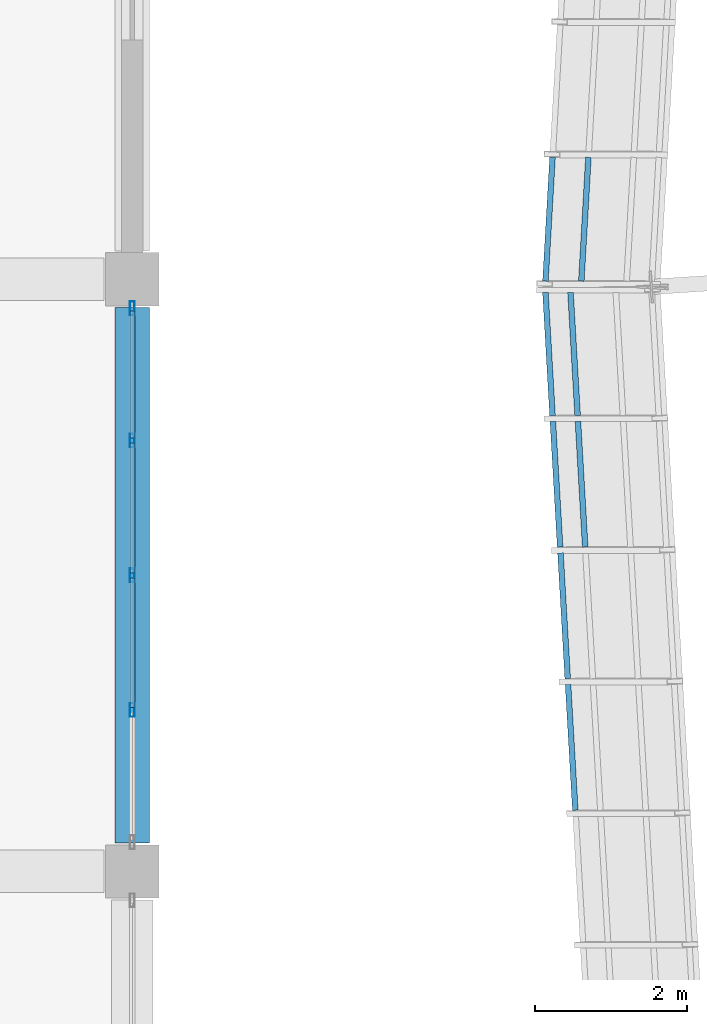
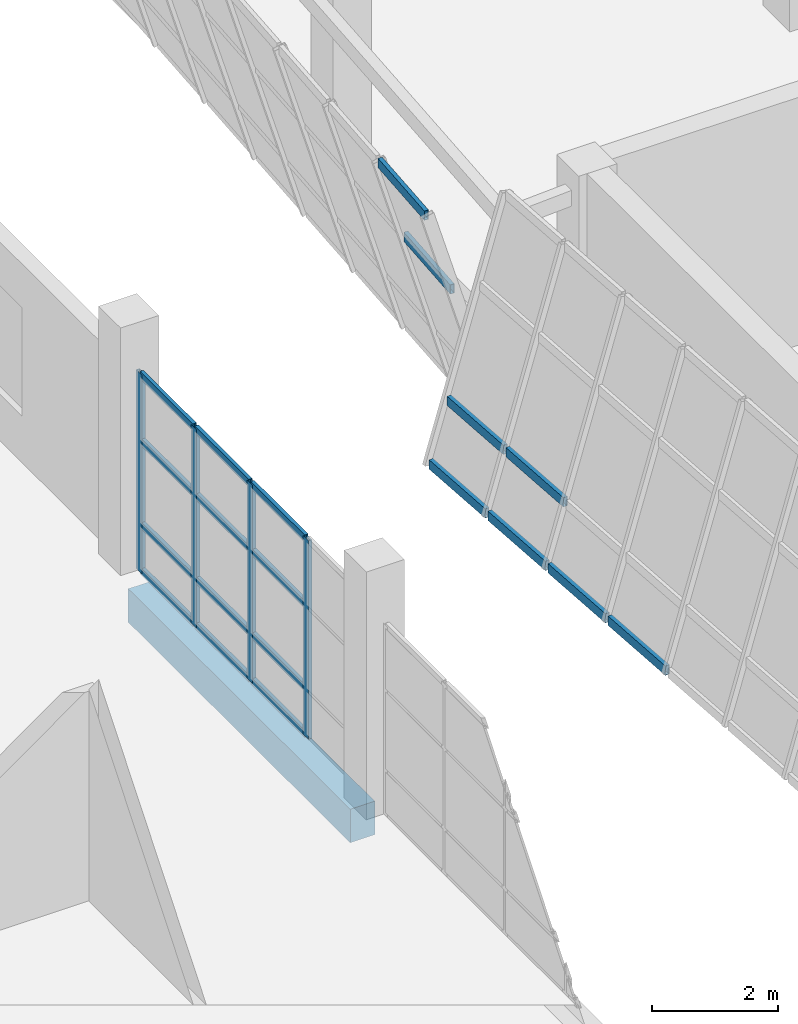
# One storey, part 28 of 91: 24 members, 1 beam, 3 elements without a shape of their own.
"""IFC4 building model written with IfcOpenShell, lengths in metres."""

from ifc_helpers import new_model, si_unit, direction, frame, origin, origin_2d, place, context, subcontext, project, spatial, rectangle, hollow_rectangle, extrude, material, material_profile, profile_set, type_object, element, aggregate, save


model = new_model("IFC4")

# Units and contexts
model_context = context("Model", 3, precision=1e-05, world=origin(), true_north=direction((0.0, 1.0)))
body_context = subcontext(model_context, "Body", "Model", "MODEL_VIEW")
ifc_project = project(units=[si_unit("LENGTHUNIT", "METRE"), si_unit("AREAUNIT", "SQUARE_METRE"), si_unit("VOLUMEUNIT", "CUBIC_METRE"), si_unit("PLANEANGLEUNIT", "RADIAN"), si_unit("MASSUNIT", "GRAM", prefix="KILO")], contexts=[model_context])

# Site, building, storey
site_placement = place(None, origin())
site = spatial("IfcSite", under=ifc_project, at=site_placement, CompositionType="ELEMENT")
building_placement = place(site_placement, origin())
building = spatial("IfcBuilding", under=site, at=building_placement, Name="Pellamere Symphony Hall", CompositionType="ELEMENT")
storey_placement = place(building_placement, frame((0.0, 0.0, 5.39990234375)))
storey = spatial("IfcBuildingStorey", under=building, at=storey_placement, Name="L01", CompositionType="ELEMENT", Elevation=5.39990234375)

# Curtain wall, members
ifc_material_1 = material(Name="Thermally Broken Anodised Aluminium 6063-T6 Curtain Wall", Category="aluminium")
curtain_wall_type_1 = type_object("IfcCurtainWallType", Name="Curtain Wall CW-04 (Chamber Music Lobby Curtain Wall)", PredefinedType="NOTDEFINED", material=ifc_material_1)
curtain_wall_1_placement = place(storey_placement, origin())
curtain_wall_1 = element("IfcCurtainWall", 1, at=curtain_wall_1_placement, inside=storey, type_object=curtain_wall_type_1, Name="Chamber Forecourt East Curtain Wall (L01 Bay 3)", PredefinedType="NOTDEFINED")
ifc_material_2 = material(Name="Anodised Architectural Aluminium 6063-T6", Category="aluminium")
ifc_material_profile_1 = material_profile(ifc_material_2, hollow_rectangle(XDim=0.06494140625, YDim=0.179931640625, WallThickness=0.00390625, at=origin_2d()), Name="ALU-M65X180X4")
ifc_profile_set_1 = profile_set([ifc_material_profile_1], Name="Anodised Architectural Aluminium 6063-T6")
member_type_1 = type_object("IfcMemberType", Name="Curtain Wall Mullion ML-02 ALU-M65X180X4", PredefinedType="MULLION", material=ifc_profile_set_1)
member_1_placement = place(storey_placement, frame((42.0, 40.52490234375, 0.0), z_axis=(0.0, 0.0, 1.0), x_axis=(-1.0, 0.0, 0.0)))
member_1 = element("IfcMember", 2, at=member_1_placement, type_object=member_type_1, Name="CW4E-118 crystal mullion 2", PredefinedType="MULLION", context=body_context, shape_type="SweptSolid", body=[
    extrude(hollow_rectangle(XDim=0.06494140625, YDim=0.179931640625, WallThickness=0.00390625, at=origin_2d()), origin(), (0.0, 0.0, 1.0), 3.85009765625),
])
member_2_placement = place(storey_placement, frame((42.0, 42.300048828125, 0.0), z_axis=(0.0, 0.0, 1.0), x_axis=(-1.0, 0.0, 0.0)))
member_2 = element("IfcMember", 3, at=member_2_placement, type_object=member_type_1, Name="CW4E-118 crystal mullion 3", PredefinedType="MULLION", context=body_context, shape_type="SweptSolid", body=[
    extrude(hollow_rectangle(XDim=0.06494140625, YDim=0.179931640625, WallThickness=0.00390625, at=origin_2d()), origin(), (0.0, 0.0, 1.0), 3.85009765625),
])
member_3_placement = place(storey_placement, frame((42.0, 44.074951171875, 0.0), z_axis=(0.0, 0.0, 1.0), x_axis=(-1.0, 0.0, 0.0)))
member_3 = element("IfcMember", 4, at=member_3_placement, type_object=member_type_1, Name="CW4E-118 crystal mullion 4", PredefinedType="MULLION", context=body_context, shape_type="SweptSolid", body=[
    extrude(hollow_rectangle(XDim=0.06494140625, YDim=0.179931640625, WallThickness=0.00390625, at=origin_2d()), origin(), (0.0, 0.0, 1.0), 3.85009765625),
])
member_4_placement = place(storey_placement, frame((42.0, 45.8173828125, 0.0), z_axis=(0.0, 0.0, 1.0), x_axis=(-1.0, 0.0, 0.0)))
member_4 = element("IfcMember", 5, at=member_4_placement, type_object=member_type_1, Name="CW4E-118 crystal mullion 5", PredefinedType="MULLION", context=body_context, shape_type="SweptSolid", body=[
    extrude(hollow_rectangle(XDim=0.06494140625, YDim=0.179931640625, WallThickness=0.00390625, at=origin_2d()), origin(), (0.0, 0.0, 1.0), 3.85009765625),
])

curtain_wall_type_2 = type_object("IfcCurtainWallType", Name="Curtain Wall CW-01 (Tilted Faceted Crystal Low-Iron Curtain Wall)", PredefinedType="NOTDEFINED", material=ifc_material_1)
curtain_wall_2_placement = place(storey_placement, origin())
curtain_wall_2 = element("IfcCurtainWall", 6, at=curtain_wall_2_placement, inside=storey, type_object=curtain_wall_type_2, Name="Crystal Faceted Curtain Wall CW-CR17 (L01)", PredefinedType="NOTDEFINED")
ifc_material_profile_2 = material_profile(ifc_material_2, hollow_rectangle(XDim=0.074951171875, YDim=0.179931640625, WallThickness=0.0048828125, at=origin_2d()), Name="ALU-T75X180X5")
ifc_profile_set_2 = profile_set([ifc_material_profile_2], Name="Anodised Architectural Aluminium 6063-T6")
member_type_2 = type_object("IfcMemberType", Name="Curtain Wall Transom TR-01 ALU-T75X180X5", PredefinedType="USERDEFINED", material=ifc_profile_set_2)
member_5_placement = place(storey_placement, frame((48.009521484375, 47.806884765625, 3.168212890625), z_axis=(-0.057198647566, -0.998362817175, 0.0), x_axis=(0.998362817175, -0.057198647566, 0.0)))
member_5 = element("IfcMember", 7, at=member_5_placement, type_object=member_type_2, Name="CW1-048 crystal transom 9.3", ObjectType="TRANSOM", PredefinedType="USERDEFINED", context=body_context, shape_type="SweptSolid", body=[
    extrude(hollow_rectangle(XDim=0.074951171875, YDim=0.179931640625, WallThickness=0.0048828125, at=origin_2d()), origin(), (0.0, 0.0, 1.0), 1.634765625),
])
member_6_placement = place(storey_placement, frame((47.53662109375, 47.806884765625, 4.76416015625), z_axis=(-0.057198647566, -0.998362817175, 0.0), x_axis=(0.998362817175, -0.057198647566, 0.0)))
member_6 = element("IfcMember", 8, at=member_6_placement, type_object=member_type_2, Name="CW1-048 crystal transom 9.4", ObjectType="TRANSOM", PredefinedType="USERDEFINED", context=body_context, shape_type="SweptSolid", body=[
    extrude(hollow_rectangle(XDim=0.074951171875, YDim=0.179931640625, WallThickness=0.0048828125, at=origin_2d()), origin(), (0.0, 0.0, 1.0), 1.634765625),
])
aggregate(curtain_wall_2, [member_5, member_6])

curtain_wall_3_placement = place(storey_placement, origin())
curtain_wall_3 = element("IfcCurtainWall", 9, at=curtain_wall_3_placement, inside=storey, type_object=curtain_wall_type_2, Name="Crystal Faceted Curtain Wall CW-CR18 (L01)", PredefinedType="NOTDEFINED")
member_7_placement = place(storey_placement, frame((47.443115234375, 46.025146484375, 0.0361328125), z_axis=(0.057585007883, -0.99834060664, 0.0), x_axis=(0.99834060664, 0.057585007883, 0.0)))
member_7 = element("IfcMember", 10, at=member_7_placement, type_object=member_type_2, Name="CW1-053 crystal transom 1.1", ObjectType="TRANSOM", PredefinedType="USERDEFINED", context=body_context, shape_type="SweptSolid", body=[
    extrude(hollow_rectangle(XDim=0.074951171875, YDim=0.179931640625, WallThickness=0.0048828125, at=origin_2d()), origin(), (0.0, 0.0, 1.0), 1.623779296875),
])
member_8_placement = place(storey_placement, frame((47.773681640625, 46.025146484375, 1.152099609375), z_axis=(0.057585007883, -0.99834060664, 0.0), x_axis=(0.99834060664, 0.057585007883, 0.0)))
member_8 = element("IfcMember", 11, at=member_8_placement, type_object=member_type_2, Name="CW1-053 crystal transom 1.2", ObjectType="TRANSOM", PredefinedType="USERDEFINED", context=body_context, shape_type="SweptSolid", body=[
    extrude(hollow_rectangle(XDim=0.074951171875, YDim=0.179931640625, WallThickness=0.0048828125, at=origin_2d()), origin(), (0.0, 0.0, 1.0), 1.623779296875),
])
member_9_placement = place(storey_placement, frame((47.541015625, 44.329345703125, 0.0361328125), z_axis=(0.057602168051, -0.998339616682, 0.0), x_axis=(0.998339616682, 0.057602168051, 0.0)))
member_9 = element("IfcMember", 12, at=member_9_placement, type_object=member_type_2, Name="CW1-053 crystal transom 2.1", ObjectType="TRANSOM", PredefinedType="USERDEFINED", context=body_context, shape_type="SweptSolid", body=[
    extrude(hollow_rectangle(XDim=0.074951171875, YDim=0.179931640625, WallThickness=0.0048828125, at=origin_2d()), origin(), (0.0, 0.0, 1.0), 1.661376953125),
])
member_10_placement = place(storey_placement, frame((47.87158203125, 44.329345703125, 1.152099609375), z_axis=(0.057602168051, -0.998339616682, 0.0), x_axis=(0.998339616682, 0.057602168051, 0.0)))
member_10 = element("IfcMember", 13, at=member_10_placement, type_object=member_type_2, Name="CW1-053 crystal transom 2.2", ObjectType="TRANSOM", PredefinedType="USERDEFINED", context=body_context, shape_type="SweptSolid", body=[
    extrude(hollow_rectangle(XDim=0.074951171875, YDim=0.179931640625, WallThickness=0.0048828125, at=origin_2d()), origin(), (0.0, 0.0, 1.0), 1.661376953125),
])
member_11_placement = place(storey_placement, frame((47.64111328125, 42.595947265625, 0.0361328125), z_axis=(0.057464139598, -0.998347571069, 0.0), x_axis=(0.998347571069, 0.057464139598, 0.0)))
member_11 = element("IfcMember", 14, at=member_11_placement, type_object=member_type_2, Name="CW1-053 crystal transom 3.1", ObjectType="TRANSOM", PredefinedType="USERDEFINED", context=body_context, shape_type="SweptSolid", body=[
    extrude(hollow_rectangle(XDim=0.074951171875, YDim=0.179931640625, WallThickness=0.0048828125, at=origin_2d()), origin(), (0.0, 0.0, 1.0), 1.6611328125),
])
member_12_placement = place(storey_placement, frame((47.740966796875, 40.862548828125, 0.0361328125), z_axis=(0.057610619545, -0.998339129012, 0.0), x_axis=(0.998339129012, 0.057610619545, 0.0)))
member_12 = element("IfcMember", 15, at=member_12_placement, type_object=member_type_2, Name="CW1-053 crystal transom 4.1", ObjectType="TRANSOM", PredefinedType="USERDEFINED", context=body_context, shape_type="SweptSolid", body=[
    extrude(hollow_rectangle(XDim=0.074951171875, YDim=0.179931640625, WallThickness=0.0048828125, at=origin_2d()), origin(), (0.0, 0.0, 1.0), 1.6611328125),
])
aggregate(curtain_wall_3, [member_7, member_8, member_9, member_10, member_11, member_12])

# Member
ifc_material_profile_3 = material_profile(ifc_material_2, hollow_rectangle(XDim=0.06494140625, YDim=0.139892578125, WallThickness=0.00390625, at=origin_2d()), Name="ALU-T65X140X4")
ifc_profile_set_3 = profile_set([ifc_material_profile_3], Name="Anodised Architectural Aluminium 6063-T6")
member_type_3 = type_object("IfcMemberType", Name="Curtain Wall Transom TR-02 ALU-T65X140X4", PredefinedType="USERDEFINED", material=ifc_profile_set_3)
member_13_placement = place(storey_placement, frame((42.0, 40.5576171875, 0.03271484375), z_axis=(0.0, 1.0, 0.0), x_axis=(-1.0, 0.0, 0.0)))
member_13 = element("IfcMember", 16, at=member_13_placement, type_object=member_type_3, Name="CW4E-118 crystal transom 2.1", ObjectType="TRANSOM", PredefinedType="USERDEFINED", context=body_context, shape_type="SweptSolid", body=[
    extrude(hollow_rectangle(XDim=0.06494140625, YDim=0.139892578125, WallThickness=0.00390625, at=origin_2d()), origin(), (0.0, 0.0, 1.0), 1.7099609375),
])

member_14_placement = place(storey_placement, frame((42.0, 40.5576171875, 0.924072265625), z_axis=(0.0, 1.0, 0.0), x_axis=(-1.0, 0.0, 0.0)))
member_14 = element("IfcMember", 17, at=member_14_placement, type_object=member_type_3, Name="CW4E-118 crystal transom 2.2", ObjectType="TRANSOM", PredefinedType="USERDEFINED", context=body_context, shape_type="SweptSolid", body=[
    extrude(hollow_rectangle(XDim=0.06494140625, YDim=0.139892578125, WallThickness=0.00390625, at=origin_2d()), origin(), (0.0, 0.0, 1.0), 1.7099609375),
])

member_15_placement = place(storey_placement, frame((42.0, 40.5576171875, 2.541015625), z_axis=(0.0, 1.0, 0.0), x_axis=(-1.0, 0.0, 0.0)))
member_15 = element("IfcMember", 18, at=member_15_placement, type_object=member_type_3, Name="CW4E-118 crystal transom 2.3", ObjectType="TRANSOM", PredefinedType="USERDEFINED", context=body_context, shape_type="SweptSolid", body=[
    extrude(hollow_rectangle(XDim=0.06494140625, YDim=0.139892578125, WallThickness=0.00390625, at=origin_2d()), origin(), (0.0, 0.0, 1.0), 1.7099609375),
])

member_16_placement = place(storey_placement, frame((42.0, 40.5576171875, 3.817626953125), z_axis=(0.0, 1.0, 0.0), x_axis=(-1.0, 0.0, 0.0)))
member_16 = element("IfcMember", 19, at=member_16_placement, type_object=member_type_3, Name="CW4E-118 crystal transom 2.4", ObjectType="TRANSOM", PredefinedType="USERDEFINED", context=body_context, shape_type="SweptSolid", body=[
    extrude(hollow_rectangle(XDim=0.06494140625, YDim=0.139892578125, WallThickness=0.00390625, at=origin_2d()), origin(), (0.0, 0.0, 1.0), 1.7099609375),
])

member_17_placement = place(storey_placement, frame((42.0, 42.33251953125, 0.03271484375), z_axis=(0.0, 1.0, 0.0), x_axis=(-1.0, 0.0, 0.0)))
member_17 = element("IfcMember", 20, at=member_17_placement, type_object=member_type_3, Name="CW4E-118 crystal transom 3.1", ObjectType="TRANSOM", PredefinedType="USERDEFINED", context=body_context, shape_type="SweptSolid", body=[
    extrude(hollow_rectangle(XDim=0.06494140625, YDim=0.139892578125, WallThickness=0.00390625, at=origin_2d()), origin(), (0.0, 0.0, 1.0), 1.7099609375),
])

member_18_placement = place(storey_placement, frame((42.0, 42.33251953125, 0.924072265625), z_axis=(0.0, 1.0, 0.0), x_axis=(-1.0, 0.0, 0.0)))
member_18 = element("IfcMember", 21, at=member_18_placement, type_object=member_type_3, Name="CW4E-118 crystal transom 3.2", ObjectType="TRANSOM", PredefinedType="USERDEFINED", context=body_context, shape_type="SweptSolid", body=[
    extrude(hollow_rectangle(XDim=0.06494140625, YDim=0.139892578125, WallThickness=0.00390625, at=origin_2d()), origin(), (0.0, 0.0, 1.0), 1.7099609375),
])

member_19_placement = place(storey_placement, frame((42.0, 42.33251953125, 2.541015625), z_axis=(0.0, 1.0, 0.0), x_axis=(-1.0, 0.0, 0.0)))
member_19 = element("IfcMember", 22, at=member_19_placement, type_object=member_type_3, Name="CW4E-118 crystal transom 3.3", ObjectType="TRANSOM", PredefinedType="USERDEFINED", context=body_context, shape_type="SweptSolid", body=[
    extrude(hollow_rectangle(XDim=0.06494140625, YDim=0.139892578125, WallThickness=0.00390625, at=origin_2d()), origin(), (0.0, 0.0, 1.0), 1.7099609375),
])

member_20_placement = place(storey_placement, frame((42.0, 42.33251953125, 3.817626953125), z_axis=(0.0, 1.0, 0.0), x_axis=(-1.0, 0.0, 0.0)))
member_20 = element("IfcMember", 23, at=member_20_placement, type_object=member_type_3, Name="CW4E-118 crystal transom 3.4", ObjectType="TRANSOM", PredefinedType="USERDEFINED", context=body_context, shape_type="SweptSolid", body=[
    extrude(hollow_rectangle(XDim=0.06494140625, YDim=0.139892578125, WallThickness=0.00390625, at=origin_2d()), origin(), (0.0, 0.0, 1.0), 1.7099609375),
])

member_21_placement = place(storey_placement, frame((42.0, 44.107421875, 0.03271484375), z_axis=(0.0, 1.0, 0.0), x_axis=(-1.0, 0.0, 0.0)))
member_21 = element("IfcMember", 24, at=member_21_placement, type_object=member_type_3, Name="CW4E-118 crystal transom 4.1", ObjectType="TRANSOM", PredefinedType="USERDEFINED", context=body_context, shape_type="SweptSolid", body=[
    extrude(hollow_rectangle(XDim=0.06494140625, YDim=0.139892578125, WallThickness=0.00390625, at=origin_2d()), origin(), (0.0, 0.0, 1.0), 1.677490234375),
])

member_22_placement = place(storey_placement, frame((42.0, 44.107421875, 0.924072265625), z_axis=(0.0, 1.0, 0.0), x_axis=(-1.0, 0.0, 0.0)))
member_22 = element("IfcMember", 25, at=member_22_placement, type_object=member_type_3, Name="CW4E-118 crystal transom 4.2", ObjectType="TRANSOM", PredefinedType="USERDEFINED", context=body_context, shape_type="SweptSolid", body=[
    extrude(hollow_rectangle(XDim=0.06494140625, YDim=0.139892578125, WallThickness=0.00390625, at=origin_2d()), origin(), (0.0, 0.0, 1.0), 1.677490234375),
])

member_23_placement = place(storey_placement, frame((42.0, 44.107421875, 2.541015625), z_axis=(0.0, 1.0, 0.0), x_axis=(-1.0, 0.0, 0.0)))
member_23 = element("IfcMember", 26, at=member_23_placement, type_object=member_type_3, Name="CW4E-118 crystal transom 4.3", ObjectType="TRANSOM", PredefinedType="USERDEFINED", context=body_context, shape_type="SweptSolid", body=[
    extrude(hollow_rectangle(XDim=0.06494140625, YDim=0.139892578125, WallThickness=0.00390625, at=origin_2d()), origin(), (0.0, 0.0, 1.0), 1.677490234375),
])

member_24_placement = place(storey_placement, frame((42.0, 44.107421875, 3.817626953125), z_axis=(0.0, 1.0, 0.0), x_axis=(-1.0, 0.0, 0.0)))
member_24 = element("IfcMember", 27, at=member_24_placement, type_object=member_type_3, Name="CW4E-118 crystal transom 4.4", ObjectType="TRANSOM", PredefinedType="USERDEFINED", context=body_context, shape_type="SweptSolid", body=[
    extrude(hollow_rectangle(XDim=0.06494140625, YDim=0.139892578125, WallThickness=0.00390625, at=origin_2d()), origin(), (0.0, 0.0, 1.0), 1.677490234375),
])

aggregate(curtain_wall_1, [member_1, member_2, member_3, member_4, member_13, member_14, member_15, member_16, member_17, member_18, member_19, member_20, member_21, member_22, member_23, member_24])

# Beam
ifc_material_3 = material(Name="Concrete 40 MPa", Category="concrete")
ifc_material_profile_4 = material_profile(ifc_material_3, rectangle(XDim=0.449951171875, YDim=0.64990234375, at=origin_2d()), Name="RC 450x650")
ifc_profile_set_4 = profile_set([ifc_material_profile_4], Name="Concrete 40 MPa")
beam_type = type_object("IfcBeamType", Name="RC CB-08 450x650", PredefinedType="BEAM", material=ifc_profile_set_4)
beam_placement = place(storey_placement, frame((42.0, 38.77490234375, -0.60498046875), z_axis=(0.0, 1.0, 0.0), x_axis=(-1.0, 0.0, 0.0)))
element("IfcBeam", 28, at=beam_placement, inside=storey, type_object=beam_type, Name="Girder CB-08-Y0745 (L01)", PredefinedType="BEAM", context=body_context, shape_type="SweptSolid", body=[
    extrude(rectangle(XDim=0.449951171875, YDim=0.64990234375, at=origin_2d()), origin(), (0.0, 0.0, 1.0), 7.050048828125),
])

save(model, "model.ifc")
